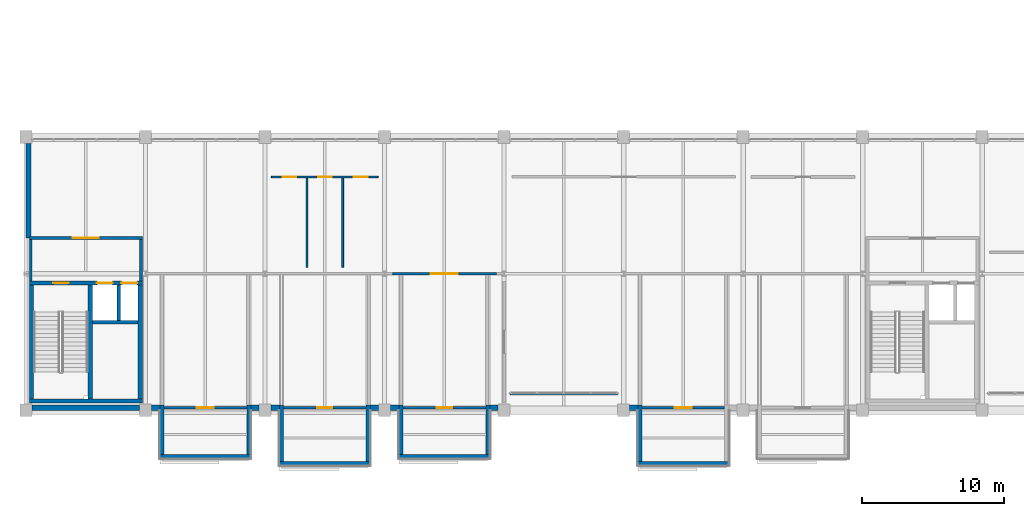
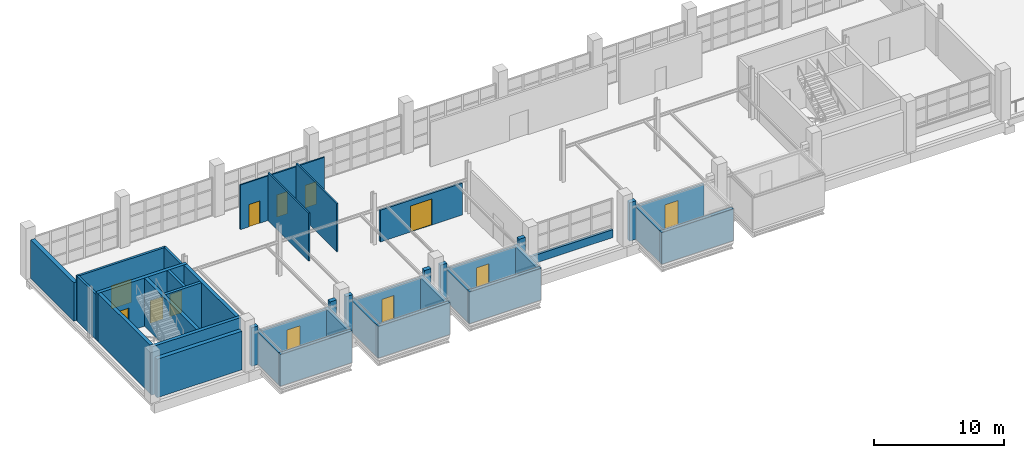
# One storey, part 24 of 29: 39 walls, 12 doors, 12 openings.
"""IFC4 building model written with IfcOpenShell, lengths in metres."""

from ifc_helpers import new_model, si_unit, direction, frame, frame_2d, origin, place, context, subcontext, project, spatial, rectangle, extrude, material, layer, layer_set, type_object, element, fill, save


model = new_model("IFC4")

# Units and contexts
model_context = context("Model", 3, precision=1e-05, world=origin(), true_north=direction((0.0, 1.0)))
body_context = subcontext(model_context, "Body", "Model", "MODEL_VIEW")
ifc_project = project(units=[si_unit("LENGTHUNIT", "METRE"), si_unit("AREAUNIT", "SQUARE_METRE"), si_unit("VOLUMEUNIT", "CUBIC_METRE"), si_unit("PLANEANGLEUNIT", "RADIAN"), si_unit("MASSUNIT", "GRAM", prefix="KILO")], contexts=[model_context])

# Site, building, storey
site_placement = place(None, origin())
site = spatial("IfcSite", under=ifc_project, at=site_placement, CompositionType="ELEMENT")
building_placement = place(site_placement, origin())
building = spatial("IfcBuilding", under=site, at=building_placement, Name="Veltarok Museum of Natural Sciences", CompositionType="ELEMENT")
storey_placement = place(building_placement, frame((0.0, 0.0, 26.39990234375)))
storey = spatial("IfcBuildingStorey", under=building, at=storey_placement, Name="L05", CompositionType="ELEMENT", Elevation=26.39990234375)

# Walls
ifc_material_1 = material(Name="Precast concrete C40/50", Category="concrete")
ifc_layer_1 = layer(ifc_material_1, 0.280029296875)
ifc_layer_set_1 = layer_set([ifc_layer_1], Name="Precast concrete C40/50")
wall_type_1 = type_object("IfcWallType", Name="Cabinet Box Insulated Backup Wall 280", PredefinedType="SOLIDWALL", material=ifc_layer_set_1)
wall_1_placement = place(storey_placement, frame((41.0, -3.260009765625, 0.0), z_axis=(0.0, 0.0, 1.0), x_axis=(1.0, 0.0, 0.0)))
element("IfcWall", 1, at=wall_1_placement, inside=storey, type_object=wall_type_1, Name="Cabinet Box Wall DB-25-S", PredefinedType="SOLIDWALL", context=body_context, shape_type="SweptSolid", body=[
    extrude(rectangle(XDim=6.39990234375, YDim=0.280029296875, at=frame_2d((3.199951171875, 0.0))), origin(), (0.0, 0.0, 1.0), 2.989990234375),
])
for number, where, z_axis, x_axis, name in (
    (2, (41.139892578125, 0.360107421875, 0.0), (0.0, 0.0, 1.0), (0.0, -1.0, 0.0), "Cabinet Box Wall DB-25-W"),
    (3, (47.260009765625, -3.1201171875, 0.0), (0.0, 0.0, 1.0), (0.0, 1.0, 0.0), "Cabinet Box Wall DB-25-E"),
):
    element("IfcWall", number, at=place(storey_placement, frame(where, z_axis=z_axis, x_axis=x_axis)), inside=storey, type_object=wall_type_1, Name=name, PredefinedType="SOLIDWALL", context=body_context, shape_type="SweptSolid", body=[
        extrude(rectangle(XDim=3.480224609375, YDim=0.280029296875, at=frame_2d((1.740234375, 0.0))), origin(), (0.0, 0.0, 1.0), 2.989990234375),
    ])
wall_2_placement = place(storey_placement, frame((57.800048828125, -3.260009765625, 0.0), z_axis=(0.0, 0.0, 1.0), x_axis=(1.0, 0.0, 0.0)))
element("IfcWall", 4, at=wall_2_placement, inside=storey, type_object=wall_type_1, Name="Cabinet Box Wall DB-27-S", PredefinedType="SOLIDWALL", context=body_context, shape_type="SweptSolid", body=[
    extrude(rectangle(XDim=6.39990234375, YDim=0.280029296875, at=frame_2d((3.199951171875, 0.0))), origin(), (0.0, 0.0, 1.0), 2.989990234375),
])
for number, where, z_axis, x_axis, name in (
    (5, (57.93994140625, 0.360107421875, 0.0), (0.0, 0.0, 1.0), (0.0, -1.0, 0.0), "Cabinet Box Wall DB-27-W"),
    (6, (64.06005859375, -3.1201171875, 0.0), (0.0, 0.0, 1.0), (0.0, 1.0, 0.0), "Cabinet Box Wall DB-27-E"),
):
    element("IfcWall", number, at=place(storey_placement, frame(where, z_axis=z_axis, x_axis=x_axis)), inside=storey, type_object=wall_type_1, Name=name, PredefinedType="SOLIDWALL", context=body_context, shape_type="SweptSolid", body=[
        extrude(rectangle(XDim=3.480224609375, YDim=0.280029296875, at=frame_2d((1.740234375, 0.0))), origin(), (0.0, 0.0, 1.0), 2.989990234375),
    ])
ifc_layer_2 = layer(ifc_material_1, 0.300048828125)
ifc_layer_set_2 = layer_set([ifc_layer_2], Name="Precast concrete C40/50")
wall_type_2 = type_object("IfcWallType", Name="Deep Cabinet Box Insulated Wall 300", PredefinedType="SOLIDWALL", material=ifc_layer_set_2)
wall_3_placement = place(storey_placement, frame((49.39990234375, -3.75, 0.0), z_axis=(0.0, 0.0, 1.0), x_axis=(1.0, 0.0, 0.0)))
element("IfcWall", 7, at=wall_3_placement, inside=storey, type_object=wall_type_2, Name="Cabinet Box Wall DB-26-S", PredefinedType="SOLIDWALL", context=body_context, shape_type="SweptSolid", body=[
    extrude(rectangle(XDim=6.400146484375, YDim=0.300048828125, at=frame_2d((3.2001953125, 0.0))), origin(), (0.0, 0.0, 1.0), 2.989990234375),
])
for number, where, z_axis, x_axis, name in (
    (8, (49.550048828125, 0.360107421875, 0.0), (0.0, 0.0, 1.0), (0.0, -1.0, 0.0), "Cabinet Box Wall DB-26-W"),
    (9, (55.64990234375, -3.60009765625, 0.0), (0.0, 0.0, 1.0), (0.0, 1.0, 0.0), "Cabinet Box Wall DB-26-E"),
):
    element("IfcWall", number, at=place(storey_placement, frame(where, z_axis=z_axis, x_axis=x_axis)), inside=storey, type_object=wall_type_2, Name=name, PredefinedType="SOLIDWALL", context=body_context, shape_type="SweptSolid", body=[
        extrude(rectangle(XDim=3.960205078125, YDim=0.300048828125, at=frame_2d((1.97998046875, 0.0))), origin(), (0.0, 0.0, 1.0), 2.989990234375),
    ])
wall_4_placement = place(storey_placement, frame((74.60009765625, -3.75, 0.0), z_axis=(0.0, 0.0, 1.0), x_axis=(1.0, 0.0, 0.0)))
element("IfcWall", 10, at=wall_4_placement, inside=storey, type_object=wall_type_2, Name="Cabinet Box Wall DB-28-S", PredefinedType="SOLIDWALL", context=body_context, shape_type="SweptSolid", body=[
    extrude(rectangle(XDim=6.39990234375, YDim=0.300048828125, at=frame_2d((3.199951171875, 0.0))), origin(), (0.0, 0.0, 1.0), 2.989990234375),
])
wall_5_placement = place(storey_placement, frame((74.75, 0.360107421875, 0.0), z_axis=(0.0, 0.0, 1.0), x_axis=(0.0, -1.0, 0.0)))
element("IfcWall", 11, at=wall_5_placement, inside=storey, type_object=wall_type_2, Name="Cabinet Box Wall DB-28-W", PredefinedType="SOLIDWALL", context=body_context, shape_type="SweptSolid", body=[
    extrude(rectangle(XDim=3.960205078125, YDim=0.300048828125, at=frame_2d((1.97998046875, 0.0))), origin(), (0.0, 0.0, 1.0), 2.989990234375),
])

# Wall, opening, door
ifc_material_2 = material(Name="Acoustic gypsum and mineral wool")
ifc_layer_3 = layer(ifc_material_2, 0.179931640625)
ifc_layer_set_3 = layer_set([ifc_layer_3], Name="Acoustic gypsum and mineral wool")
wall_type_3 = type_object("IfcWallType", Name="Exhibition Gallery Partition 180", PredefinedType="PARTITIONING", material=ifc_layer_set_3)
wall_6_placement = place(storey_placement, frame((41.280029296875, 0.179931640625, 0.0), z_axis=(0.0, 0.0, 1.0), x_axis=(1.0, 0.0, 0.0)))
wall_6 = element("IfcWall", 12, at=wall_6_placement, inside=storey, type_object=wall_type_3, Name="Cabinet Threshold Partition DB-25", PredefinedType="PARTITIONING", context=body_context, shape_type="SweptSolid", body=[
    extrude(rectangle(XDim=5.840087890625, YDim=0.179931640625, at=frame_2d((2.919921875, 0.0))), origin(), (0.0, 0.0, 1.0), 2.989990234375),
])
opening_1_placement = place(wall_6_placement, frame((2.330078125, 0.0, 0.0)))
opening_1 = element("IfcOpeningElement", 13, at=opening_1_placement, cuts=wall_6, Name="Opening D-L05-096", PredefinedType="OPENING", context=body_context, shape_type="SweptSolid", body=[
    extrude(rectangle(XDim=1.179931640625, YDim=2.25, at=frame_2d((0.58984375, 1.125))), frame((0.0, 0.10009765625, 0.0), z_axis=(0.0, -1.0, 0.0), x_axis=(1.0, 0.0, 0.0)), (0.0, 0.0, 1.0), 0.199951171875),
])
ifc_material_3 = material(Name="Airtight powder-coated steel", Category="steel")
door_type_1 = type_object("IfcDoorType", Name="Large Cabinet Conservation Door 1180x2250", OperationType="NOTDEFINED", PredefinedType="DOOR", material=ifc_material_3)
door_1_placement = place(opening_1_placement, origin())
door_1 = element("IfcDoor", 14, at=door_1_placement, inside=storey, type_object=door_type_1, Name="Cabinet Conservation Door DB-25", OperationType="SINGLE_SWING_RIGHT", OverallHeight=2.25, OverallWidth=1.179931640625, PredefinedType="DOOR", context=body_context, shape_type="SweptSolid", body=[
    extrude(rectangle(XDim=1.179931640625, YDim=2.25, at=frame_2d((0.58984375, 1.125))), frame((0.0, 0.02490234375, 0.0), z_axis=(0.0, -1.0, 0.0), x_axis=(1.0, 0.0, 0.0)), (0.0, 0.0, 1.0), 0.050048828125),
])
fill(opening_1, door_1)

wall_7_placement = place(storey_placement, frame((49.699951171875, 0.179931640625, 0.0), z_axis=(0.0, 0.0, 1.0), x_axis=(1.0, 0.0, 0.0)))
wall_7 = element("IfcWall", 15, at=wall_7_placement, inside=storey, type_object=wall_type_3, Name="Cabinet Threshold Partition DB-26", PredefinedType="PARTITIONING", context=body_context, shape_type="SweptSolid", body=[
    extrude(rectangle(XDim=5.800048828125, YDim=0.179931640625, at=frame_2d((2.89990234375, 0.0))), origin(), (0.0, 0.0, 1.0), 2.989990234375),
])
opening_2_placement = place(wall_7_placement, frame((2.3798828125, 0.0, 0.0)))
opening_2 = element("IfcOpeningElement", 16, at=opening_2_placement, cuts=wall_7, Name="Opening D-L05-097", PredefinedType="OPENING", context=body_context, shape_type="SweptSolid", body=[
    extrude(rectangle(XDim=1.0400390625, YDim=2.179931640625, at=frame_2d((0.52001953125, 1.08984375))), frame((0.0, 0.10009765625, 0.0), z_axis=(0.0, -1.0, 0.0), x_axis=(1.0, 0.0, 0.0)), (0.0, 0.0, 1.0), 0.199951171875),
])
door_type_2 = type_object("IfcDoorType", Name="Compact Cabinet Conservation Door 1040x2180", OperationType="NOTDEFINED", PredefinedType="DOOR", material=ifc_material_3)
door_2_placement = place(opening_2_placement, origin())
door_2 = element("IfcDoor", 17, at=door_2_placement, inside=storey, type_object=door_type_2, Name="Cabinet Conservation Door DB-26", OperationType="SINGLE_SWING_LEFT", OverallHeight=2.179931640625, OverallWidth=1.0400390625, PredefinedType="DOOR", context=body_context, shape_type="SweptSolid", body=[
    extrude(rectangle(XDim=1.0400390625, YDim=2.179931640625, at=frame_2d((0.52001953125, 1.08984375))), frame((0.0, 0.02490234375, 0.0), z_axis=(0.0, -1.0, 0.0), x_axis=(1.0, 0.0, 0.0)), (0.0, 0.0, 1.0), 0.050048828125),
])
fill(opening_2, door_2)

wall_8_placement = place(storey_placement, frame((58.080078125, 0.179931640625, 0.0), z_axis=(0.0, 0.0, 1.0), x_axis=(1.0, 0.0, 0.0)))
wall_8 = element("IfcWall", 18, at=wall_8_placement, inside=storey, type_object=wall_type_3, Name="Cabinet Threshold Partition DB-27", PredefinedType="PARTITIONING", context=body_context, shape_type="SweptSolid", body=[
    extrude(rectangle(XDim=5.83984375, YDim=0.179931640625, at=frame_2d((2.919921875, 0.0))), origin(), (0.0, 0.0, 1.0), 2.989990234375),
])
opening_3_placement = place(wall_8_placement, frame((2.3701171875, 0.0, 0.0)))
opening_3 = element("IfcOpeningElement", 19, at=opening_3_placement, cuts=wall_8, Name="Opening D-L05-098", PredefinedType="OPENING", context=body_context, shape_type="SweptSolid", body=[
    extrude(rectangle(XDim=1.10009765625, YDim=2.199951171875, at=frame_2d((0.550048828125, 1.10009765625))), frame((0.0, 0.10009765625, 0.0), z_axis=(0.0, -1.0, 0.0), x_axis=(1.0, 0.0, 0.0)), (0.0, 0.0, 1.0), 0.199951171875),
])
door_type_3 = type_object("IfcDoorType", Name="Cabinet Box Conservation Door 1100x2200", OperationType="NOTDEFINED", PredefinedType="DOOR", material=ifc_material_3)
door_3_placement = place(opening_3_placement, origin())
door_3 = element("IfcDoor", 20, at=door_3_placement, inside=storey, type_object=door_type_3, Name="Cabinet Conservation Door DB-27", OperationType="SINGLE_SWING_RIGHT", OverallHeight=2.199951171875, OverallWidth=1.10009765625, PredefinedType="DOOR", context=body_context, shape_type="SweptSolid", body=[
    extrude(rectangle(XDim=1.10009765625, YDim=2.199951171875, at=frame_2d((0.550048828125, 1.10009765625))), frame((0.0, 0.02490234375, 0.0), z_axis=(0.0, -1.0, 0.0), x_axis=(1.0, 0.0, 0.0)), (0.0, 0.0, 1.0), 0.050048828125),
])
fill(opening_3, door_3)

wall_9_placement = place(storey_placement, frame((74.89990234375, 0.179931640625, 0.0), z_axis=(0.0, 0.0, 1.0), x_axis=(1.0, 0.0, 0.0)))
wall_9 = element("IfcWall", 21, at=wall_9_placement, inside=storey, type_object=wall_type_3, Name="Cabinet Threshold Partition DB-28", PredefinedType="PARTITIONING", context=body_context, shape_type="SweptSolid", body=[
    extrude(rectangle(XDim=5.800048828125, YDim=0.179931640625, at=frame_2d((2.89990234375, 0.0))), origin(), (0.0, 0.0, 1.0), 2.989990234375),
])
opening_4_placement = place(wall_9_placement, frame((2.31005859375, 0.0, 0.0)))
opening_4 = element("IfcOpeningElement", 22, at=opening_4_placement, cuts=wall_9, Name="Opening D-L05-099", PredefinedType="OPENING", context=body_context, shape_type="SweptSolid", body=[
    extrude(rectangle(XDim=1.179931640625, YDim=2.25, at=frame_2d((0.58984375, 1.125))), frame((0.0, 0.10009765625, 0.0), z_axis=(0.0, -1.0, 0.0), x_axis=(1.0, 0.0, 0.0)), (0.0, 0.0, 1.0), 0.199951171875),
])
door_4_placement = place(opening_4_placement, origin())
door_4 = element("IfcDoor", 23, at=door_4_placement, inside=storey, type_object=door_type_1, Name="Cabinet Conservation Door DB-28", OperationType="SINGLE_SWING_LEFT", OverallHeight=2.25, OverallWidth=1.179931640625, PredefinedType="DOOR", context=body_context, shape_type="SweptSolid", body=[
    extrude(rectangle(XDim=1.179931640625, YDim=2.25, at=frame_2d((0.58984375, 1.125))), frame((0.0, 0.02490234375, 0.0), z_axis=(0.0, -1.0, 0.0), x_axis=(1.0, 0.0, 0.0)), (0.0, 0.0, 1.0), 0.050048828125),
])
fill(opening_4, door_4)

wall_10_placement = place(storey_placement, frame((57.35009765625, 9.60009765625, 0.0), z_axis=(0.0, 0.0, 1.0), x_axis=(1.0, 0.0, 0.0)))
wall_10 = element("IfcWall", 24, at=wall_10_placement, inside=storey, type_object=wall_type_3, Name="Interior Partition L05-058", PredefinedType="PARTITIONING", context=body_context, shape_type="SweptSolid", body=[
    extrude(rectangle(XDim=7.2998046875, YDim=0.179931640625, at=frame_2d((3.64990234375, 0.0))), origin(), (0.0, 0.0, 1.0), 2.9921875),
])
opening_5_placement = place(wall_10_placement, frame((2.699951171875, 0.0, 0.0)))
opening_5 = element("IfcOpeningElement", 25, at=opening_5_placement, cuts=wall_10, Name="Opening D-L05-184", PredefinedType="OPENING", context=body_context, shape_type="SweptSolid", body=[
    extrude(rectangle(XDim=1.89990234375, YDim=2.449951171875, at=frame_2d((0.949951171875, 1.22509765625))), frame((0.0, 0.10009765625, 0.0), z_axis=(0.0, -1.0, 0.0), x_axis=(1.0, 0.0, 0.0)), (0.0, 0.0, 1.0), 0.199951171875),
])
ifc_material_4 = material(Name="Solid European oak and acoustic glass", Category="glass")
door_type_4 = type_object("IfcDoorType", Name="Exhibition Hall Double Door 1900x2450", OperationType="NOTDEFINED", PredefinedType="DOOR", material=ifc_material_4)
door_5_placement = place(opening_5_placement, origin())
door_5 = element("IfcDoor", 26, at=door_5_placement, inside=storey, type_object=door_type_4, Name="Interior Door D-L05-184", OperationType="DOUBLE_DOOR_SINGLE_SWING", OverallHeight=2.449951171875, OverallWidth=1.89990234375, PredefinedType="DOOR", context=body_context, shape_type="SweptSolid", body=[
    extrude(rectangle(XDim=1.89990234375, YDim=2.449951171875, at=frame_2d((0.949951171875, 1.22509765625))), frame((0.0, 0.02490234375, 0.0), z_axis=(0.0, -1.0, 0.0), x_axis=(1.0, 0.0, 0.0)), (0.0, 0.0, 1.0), 0.050048828125),
])
fill(opening_5, door_5)

# Walls
ifc_material_5 = material(Name="Concrete C40/50", Category="concrete")
ifc_layer_4 = layer(ifc_material_5, 0.360107421875)
ifc_layer_set_4 = layer_set([ifc_layer_4], Name="Concrete C40/50")
wall_type_4 = type_object("IfcWallType", Name="Exposed Architectural Concrete Facade Wall 360", PredefinedType="SOLIDWALL", material=ifc_layer_set_4)
wall_11_placement = place(storey_placement, frame((32.02490234375, 0.179931640625, 0.0), z_axis=(0.0, 0.0, 1.0), x_axis=(1.0, 0.0, 0.0)))
element("IfcWall", 27, at=wall_11_placement, inside=storey, type_object=wall_type_4, Name="South Core Facade Wall L05 4-5", PredefinedType="SOLIDWALL", context=body_context, shape_type="SweptSolid", body=[
    extrude(rectangle(XDim=7.550048828125, YDim=0.360107421875, at=frame_2d((3.77490234375, 0.0))), origin(), (0.0, 0.0, 1.0), 3.625),
])
wall_12_placement = place(storey_placement, frame((40.425048828125, 0.179931640625, 0.0), z_axis=(0.0, 0.0, 1.0), x_axis=(1.0, 0.0, 0.0)))
element("IfcWall", 28, at=wall_12_placement, inside=storey, type_object=wall_type_4, Name="Cabinet Collar Wall L05 5-6L", PredefinedType="SOLIDWALL", context=body_context, shape_type="SweptSolid", body=[
    extrude(rectangle(XDim=0.574951171875, YDim=0.360107421875, at=frame_2d((0.28759765625, 0.0))), origin(), (0.0, 0.0, 1.0), 3.625),
])
wall_13_placement = place(storey_placement, frame((47.39990234375, 0.179931640625, 0.0), z_axis=(0.0, 0.0, 1.0), x_axis=(1.0, 0.0, 0.0)))
element("IfcWall", 29, at=wall_13_placement, inside=storey, type_object=wall_type_4, Name="Cabinet Collar Wall L05 5-6R", PredefinedType="SOLIDWALL", context=body_context, shape_type="SweptSolid", body=[
    extrude(rectangle(XDim=0.5751953125, YDim=0.360107421875, at=frame_2d((0.28759765625, 0.0))), origin(), (0.0, 0.0, 1.0), 3.625),
])
for number, where, z_axis, x_axis, name in (
    (30, (48.824951171875, 0.179931640625, 0.0), (0.0, 0.0, 1.0), (1.0, 0.0, 0.0), "Cabinet Collar Wall L05 6-7L"),
    (31, (55.800048828125, 0.179931640625, 0.0), (0.0, 0.0, 1.0), (1.0, 0.0, 0.0), "Cabinet Collar Wall L05 6-7R"),
    (32, (57.22509765625, 0.179931640625, 0.0), (0.0, 0.0, 1.0), (1.0, 0.0, 0.0), "Cabinet Collar Wall L05 7-8L"),
    (33, (64.199951171875, 0.179931640625, 0.0), (0.0, 0.0, 1.0), (1.0, 0.0, 0.0), "Cabinet Collar Wall L05 7-8R"),
):
    element("IfcWall", number, at=place(storey_placement, frame(where, z_axis=z_axis, x_axis=x_axis)), inside=storey, type_object=wall_type_4, Name=name, PredefinedType="SOLIDWALL", context=body_context, shape_type="SweptSolid", body=[
        extrude(rectangle(XDim=0.574951171875, YDim=0.360107421875, at=frame_2d((0.28759765625, 0.0))), origin(), (0.0, 0.0, 1.0), 3.625),
    ])
wall_14_placement = place(storey_placement, frame((74.02490234375, 0.179931640625, 0.0), z_axis=(0.0, 0.0, 1.0), x_axis=(1.0, 0.0, 0.0)))
element("IfcWall", 34, at=wall_14_placement, inside=storey, type_object=wall_type_4, Name="Cabinet Collar Wall L05 9-10L", PredefinedType="SOLIDWALL", context=body_context, shape_type="SweptSolid", body=[
    extrude(rectangle(XDim=0.5751953125, YDim=0.360107421875, at=frame_2d((0.28759765625, 0.0))), origin(), (0.0, 0.0, 1.0), 3.625),
])
wall_15_placement = place(storey_placement, frame((31.780029296875, 18.75, 0.0), z_axis=(0.0, 0.0, 1.0), x_axis=(0.0, -1.0, 0.0)))
element("IfcWall", 35, at=wall_15_placement, inside=storey, type_object=wall_type_4, Name="V1 West End Facade Wall L05 4/B-C", PredefinedType="SOLIDWALL", context=body_context, shape_type="SweptSolid", body=[
    extrude(rectangle(XDim=6.64990234375, YDim=0.360107421875, at=frame_2d((3.324951171875, 0.0))), origin(), (0.0, 0.0, 1.0), 3.6220703125),
])

# Wall, opening, door
ifc_material_6 = material(Name="Concrete C35/45", Category="concrete")
ifc_layer_5 = layer(ifc_material_6, 0.199951171875)
ifc_layer_set_5 = layer_set([ifc_layer_5], Name="Concrete C35/45")
wall_type_5 = type_object("IfcWallType", Name="Firefighting Lobby Compartment Wall 200", PredefinedType="SOLIDWALL", material=ifc_layer_set_5)
wall_16_placement = place(storey_placement, frame((31.830078125, 12.10009765625, 0.0), z_axis=(0.0, 0.0, 1.0), x_axis=(1.0, 0.0, 0.0)))
wall_16 = element("IfcWall", 36, at=wall_16_placement, inside=storey, type_object=wall_type_5, Name="Firefighting Lobby Wall C1 L05 N", PredefinedType="SOLIDWALL", context=body_context, shape_type="SweptSolid", body=[
    extrude(rectangle(XDim=7.93994140625, YDim=0.199951171875, at=frame_2d((3.969970703125, 0.0))), origin(), (0.0, 0.0, 1.0), 4.192138671875),
])
opening_6_placement = place(wall_16_placement, frame((3.070068359375, 0.0, 0.0)))
opening_6 = element("IfcOpeningElement", 37, at=opening_6_placement, cuts=wall_16, Name="Opening D-L05-069", PredefinedType="OPENING", context=body_context, shape_type="SweptSolid", body=[
    extrude(rectangle(XDim=1.800048828125, YDim=2.199951171875, at=frame_2d((0.89990234375, 1.10009765625))), frame((0.0, 0.10986328125, 0.0), z_axis=(0.0, -1.0, 0.0), x_axis=(1.0, 0.0, 0.0)), (0.0, 0.0, 1.0), 0.219970703125),
])
ifc_material_7 = material(Name="Fire-rated steel and vision glass", Category="steel")
door_type_5 = type_object("IfcDoorType", Name="Fire Lobby Double Door 1800x2200", OperationType="NOTDEFINED", PredefinedType="DOOR", material=ifc_material_7)
door_6_placement = place(opening_6_placement, origin())
door_6 = element("IfcDoor", 38, at=door_6_placement, inside=storey, type_object=door_type_5, Name="Firefighting Lobby Entrance Door C1 L05", OperationType="DOUBLE_DOOR_SINGLE_SWING", OverallHeight=2.199951171875, OverallWidth=1.800048828125, PredefinedType="DOOR", context=body_context, shape_type="SweptSolid", body=[
    extrude(rectangle(XDim=1.800048828125, YDim=2.199951171875, at=frame_2d((0.89990234375, 1.10009765625))), frame((0.0, 0.02490234375, 0.0), z_axis=(0.0, -1.0, 0.0), x_axis=(1.0, 0.0, 0.0)), (0.0, 0.0, 1.0), 0.050048828125),
])
fill(opening_6, door_6)

# Walls
for number, where, z_axis, x_axis, name in (
    (39, (31.929931640625, 9.10009765625, 0.0), (0.0, 0.0, 1.0), (0.0, 1.0, 0.0), "Firefighting Lobby Wall C1 L05 W"),
    (40, (39.669921875, 12.0, 0.0), (0.0, 0.0, 1.0), (0.0, -1.0, 0.0), "Firefighting Lobby Wall C1 L05 E"),
):
    element("IfcWall", number, at=place(storey_placement, frame(where, z_axis=z_axis, x_axis=x_axis)), inside=storey, type_object=wall_type_5, Name=name, PredefinedType="SOLIDWALL", context=body_context, shape_type="SweptSolid", body=[
        extrude(rectangle(XDim=2.89990234375, YDim=0.199951171875, at=frame_2d((1.449951171875, 0.0))), origin(), (0.0, 0.0, 1.0), 4.232177734375),
    ])
ifc_layer_6 = layer(ifc_material_5, 0.25)
ifc_layer_set_6 = layer_set([ifc_layer_6], Name="Concrete C40/50")
wall_type_6 = type_object("IfcWallType", Name="Lift Shaft Concrete Shear Wall 250", PredefinedType="SHEAR", material=ifc_layer_set_6)
wall_17_placement = place(storey_placement, frame((38.114990234375, 6.300048828125, 0.0), z_axis=(0.0, 0.0, 1.0), x_axis=(0.0, 1.0, 0.0)))
element("IfcWall", 41, at=wall_17_placement, inside=storey, type_object=wall_type_6, Name="Lift Shaft Divider Wall C1 L05", PredefinedType="SHEAR", context=body_context, shape_type="SweptSolid", body=[
    extrude(rectangle(XDim=2.5, YDim=0.25, at=frame_2d((1.25, 0.0))), origin(), (0.0, 0.0, 1.0), 4.5400390625),
])
wall_18_placement = place(storey_placement, frame((36.27001953125, 6.175048828125, 0.0), z_axis=(0.0, 0.0, 1.0), x_axis=(1.0, 0.0, 0.0)))
element("IfcWall", 42, at=wall_18_placement, inside=storey, type_object=wall_type_6, Name="Lift Shaft Back Wall C1 L05", PredefinedType="SHEAR", context=body_context, shape_type="SweptSolid", body=[
    extrude(rectangle(XDim=3.199951171875, YDim=0.25, at=frame_2d((1.60009765625, 0.0))), origin(), (0.0, 0.0, 1.0), 4.5400390625),
])
ifc_layer_7 = layer(ifc_material_5, 0.300048828125)
ifc_layer_set_7 = layer_set([ifc_layer_7], Name="Concrete C40/50")
wall_type_7 = type_object("IfcWallType", Name="Protected Core Shear Wall 300", PredefinedType="SHEAR", material=ifc_layer_set_7)
wall_19_placement = place(storey_placement, frame((31.830078125, 0.64990234375, 0.0), z_axis=(0.0, 0.0, 1.0), x_axis=(1.0, 0.0, 0.0)))
element("IfcWall", 43, at=wall_19_placement, inside=storey, type_object=wall_type_7, Name="Core Shear Wall C1 L05 S", PredefinedType="SHEAR", context=body_context, shape_type="SweptSolid", body=[
    extrude(rectangle(XDim=7.93994140625, YDim=0.300048828125, at=frame_2d((3.969970703125, 0.0))), origin(), (0.0, 0.0, 1.0), 4.5400390625),
])

# Wall, openings, doors
wall_20_placement = place(storey_placement, frame((39.77001953125, 8.949951171875, 0.0), z_axis=(0.0, 0.0, 1.0), x_axis=(-1.0, 0.0, 0.0)))
wall_20 = element("IfcWall", 44, at=wall_20_placement, inside=storey, type_object=wall_type_7, Name="Core Shear Wall C1 L05 N", PredefinedType="SHEAR", context=body_context, shape_type="SweptSolid", body=[
    extrude(rectangle(XDim=7.93994140625, YDim=0.300048828125, at=frame_2d((3.969970703125, 0.0))), origin(), (0.0, 0.0, 1.0), 4.5400390625),
])
opening_7_placement = place(wall_20_placement, frame((5.169921875, 0.0, 0.0)))
opening_7 = element("IfcOpeningElement", 45, at=opening_7_placement, cuts=wall_20, Name="Opening D-L05-068", PredefinedType="OPENING", context=body_context, shape_type="SweptSolid", body=[
    extrude(rectangle(XDim=1.10009765625, YDim=2.199951171875, at=frame_2d((0.550048828125, 1.10009765625))), frame((0.0, 0.16015625, 0.0), z_axis=(0.0, -1.0, 0.0), x_axis=(1.0, 0.0, 0.0)), (0.0, 0.0, 1.0), 0.320068359375),
])
opening_8_placement = place(wall_20_placement, frame((2.090087890625, 0.0, 0.0)))
opening_8 = element("IfcOpeningElement", 46, at=opening_8_placement, cuts=wall_20, Name="Opening LD-L05-LP-01", PredefinedType="OPENING", context=body_context, shape_type="SweptSolid", body=[
    extrude(rectangle(XDim=1.10009765625, YDim=2.10009765625, at=frame_2d((0.550048828125, 1.050048828125))), frame((0.0, 0.16015625, 0.0), z_axis=(0.0, -1.0, 0.0), x_axis=(1.0, 0.0, 0.0)), (0.0, 0.0, 1.0), 0.320068359375),
])
opening_9_placement = place(wall_20_placement, frame((0.364990234375, 0.0, 0.0)))
opening_9 = element("IfcOpeningElement", 47, at=opening_9_placement, cuts=wall_20, Name="Opening LD-L05-FL-01", PredefinedType="OPENING", context=body_context, shape_type="SweptSolid", body=[
    extrude(rectangle(XDim=1.10009765625, YDim=2.10009765625, at=frame_2d((0.550048828125, 1.050048828125))), frame((0.0, 0.16015625, 0.0), z_axis=(0.0, -1.0, 0.0), x_axis=(1.0, 0.0, 0.0)), (0.0, 0.0, 1.0), 0.320068359375),
])
ifc_material_8 = material(Name="Fire-rated painted steel", Category="steel")
door_type_6 = type_object("IfcDoorType", Name="Fire Core Single Escape Door 1100x2200", OperationType="NOTDEFINED", PredefinedType="DOOR", material=ifc_material_8)
door_7_placement = place(opening_7_placement, origin())
door_7 = element("IfcDoor", 48, at=door_7_placement, inside=storey, type_object=door_type_6, Name="Protected Stair Door ST-01 L05", OperationType="SINGLE_SWING_RIGHT", OverallHeight=2.199951171875, OverallWidth=1.10009765625, PredefinedType="DOOR", context=body_context, shape_type="SweptSolid", body=[
    extrude(rectangle(XDim=1.10009765625, YDim=2.199951171875, at=frame_2d((0.550048828125, 1.10009765625))), frame((0.0, 0.02490234375, 0.0), z_axis=(0.0, -1.0, 0.0), x_axis=(1.0, 0.0, 0.0)), (0.0, 0.0, 1.0), 0.050048828125),
])
fill(opening_7, door_7)
ifc_material_9 = material(Name="Brushed stainless steel", Category="steel")
door_type_7 = type_object("IfcDoorType", Name="Passenger and Firefighting Lift Landing Door 1100x2100", OperationType="SLIDING_TO_LEFT", PredefinedType="DOOR", material=ifc_material_9)
door_8_placement = place(opening_8_placement, origin())
door_8 = element("IfcDoor", 49, at=door_8_placement, inside=storey, type_object=door_type_7, Name="Sliding Lift Landing Door LD-L05-LP-01", OperationType="SLIDING_TO_LEFT", OverallHeight=2.10009765625, OverallWidth=1.10009765625, PredefinedType="DOOR", context=body_context, shape_type="SweptSolid", body=[
    extrude(rectangle(XDim=1.10009765625, YDim=2.10009765625, at=frame_2d((0.550048828125, 1.050048828125))), frame((0.0, 0.02490234375, 0.0), z_axis=(0.0, -1.0, 0.0), x_axis=(1.0, 0.0, 0.0)), (0.0, 0.0, 1.0), 0.050048828125),
])
fill(opening_8, door_8)
door_9_placement = place(opening_9_placement, origin())
door_9 = element("IfcDoor", 50, at=door_9_placement, inside=storey, type_object=door_type_7, Name="Sliding Lift Landing Door LD-L05-FL-01", OperationType="SLIDING_TO_LEFT", OverallHeight=2.10009765625, OverallWidth=1.10009765625, PredefinedType="DOOR", context=body_context, shape_type="SweptSolid", body=[
    extrude(rectangle(XDim=1.10009765625, YDim=2.10009765625, at=frame_2d((0.550048828125, 1.050048828125))), frame((0.0, 0.02490234375, 0.0), z_axis=(0.0, -1.0, 0.0), x_axis=(1.0, 0.0, 0.0)), (0.0, 0.0, 1.0), 0.050048828125),
])
fill(opening_9, door_9)

# Walls
for number, where, z_axis, x_axis, name in (
    (51, (31.97998046875, 8.800048828125, 0.0), (0.0, 0.0, 1.0), (0.0, -1.0, 0.0), "Core Shear Wall C1 L05 W"),
    (52, (39.6201171875, 0.800048828125, 0.0), (0.0, 0.0, 1.0), (0.0, 1.0, 0.0), "Core Shear Wall C1 L05 E"),
    (53, (36.1201171875, 0.800048828125, 0.0), (0.0, 0.0, 1.0), (0.0, 1.0, 0.0), "Core Shear Wall C1 L05 DIV"),
):
    element("IfcWall", number, at=place(storey_placement, frame(where, z_axis=z_axis, x_axis=x_axis)), inside=storey, type_object=wall_type_7, Name=name, PredefinedType="SHEAR", context=body_context, shape_type="SweptSolid", body=[
        extrude(rectangle(XDim=8.0, YDim=0.300048828125, at=frame_2d((4.0, 0.0))), origin(), (0.0, 0.0, 1.0), 4.5400390625),
    ])

# Wall, openings, doors
ifc_layer_8 = layer(ifc_material_2, 0.125)
ifc_layer_set_8 = layer_set([ifc_layer_8], Name="Acoustic gypsum and mineral wool")
wall_type_8 = type_object("IfcWallType", Name="Sanitary Core Moisture-Resistant Partition 125", PredefinedType="PARTITIONING", material=ifc_layer_set_8)
wall_21_placement = place(storey_placement, frame((48.85009765625, 16.39990234375, 0.0), z_axis=(0.0, 0.0, 1.0), x_axis=(1.0, 0.0, 0.0)))
wall_21 = element("IfcWall", 54, at=wall_21_placement, inside=storey, type_object=wall_type_8, Name="Restroom Corridor Wall L05", PredefinedType="PARTITIONING", context=body_context, shape_type="SweptSolid", body=[
    extrude(rectangle(XDim=7.5, YDim=0.125, at=frame_2d((3.75, 0.0))), origin(), (0.0, 0.0, 1.0), 4.192138671875),
])
opening_10_placement = place(wall_21_placement, frame((0.77490234375, 0.0, 0.0)))
opening_10 = element("IfcOpeningElement", 55, at=opening_10_placement, cuts=wall_21, Name="Opening D-L05-124", PredefinedType="OPENING", context=body_context, shape_type="SweptSolid", body=[
    extrude(rectangle(XDim=0.949951171875, YDim=2.10009765625, at=frame_2d((0.47509765625, 1.050048828125))), frame((0.0, 0.072509765625, 0.0), z_axis=(0.0, -1.0, 0.0), x_axis=(1.0, 0.0, 0.0)), (0.0, 0.0, 1.0), 0.14501953125),
])
opening_11_placement = place(wall_21_placement, frame((3.27490234375, 0.0, 0.0)))
opening_11 = element("IfcOpeningElement", 56, at=opening_11_placement, cuts=wall_21, Name="Opening D-L05-125", PredefinedType="OPENING", context=body_context, shape_type="SweptSolid", body=[
    extrude(rectangle(XDim=0.949951171875, YDim=2.10009765625, at=frame_2d((0.47509765625, 1.050048828125))), frame((0.0, 0.072509765625, 0.0), z_axis=(0.0, -1.0, 0.0), x_axis=(1.0, 0.0, 0.0)), (0.0, 0.0, 1.0), 0.14501953125),
])
opening_12_placement = place(wall_21_placement, frame((5.77490234375, 0.0, 0.0)))
opening_12 = element("IfcOpeningElement", 57, at=opening_12_placement, cuts=wall_21, Name="Opening D-L05-126", PredefinedType="OPENING", context=body_context, shape_type="SweptSolid", body=[
    extrude(rectangle(XDim=1.0, YDim=2.1201171875, at=frame_2d((0.5, 1.06005859375))), frame((0.0, 0.072509765625, 0.0), z_axis=(0.0, -1.0, 0.0), x_axis=(1.0, 0.0, 0.0)), (0.0, 0.0, 1.0), 0.14501953125),
])
ifc_material_10 = material(Name="Moisture-resistant HPL")
door_type_8 = type_object("IfcDoorType", Name="Accessible Restroom Wide Door 1000x2120", OperationType="NOTDEFINED", PredefinedType="DOOR", material=ifc_material_10)
door_10_placement = place(opening_12_placement, frame((1.0, 0.0, 0.0), z_axis=(0.0, 0.0, 1.0), x_axis=(-1.0, 0.0, 0.0)))
door_10 = element("IfcDoor", 58, at=door_10_placement, inside=storey, type_object=door_type_8, Name="Restroom Door D-L05-126", OperationType="SINGLE_SWING_RIGHT", OverallHeight=2.1201171875, OverallWidth=1.0, PredefinedType="DOOR", context=body_context, shape_type="SweptSolid", body=[
    extrude(rectangle(XDim=1.0, YDim=2.1201171875, at=frame_2d((0.5, 1.06005859375))), frame((0.0, 0.02490234375, 0.0), z_axis=(0.0, -1.0, 0.0), x_axis=(1.0, 0.0, 0.0)), (0.0, 0.0, 1.0), 0.050048828125),
])
fill(opening_12, door_10)
door_type_9 = type_object("IfcDoorType", Name="Accessible Sanitary Room Door 950x2100", OperationType="NOTDEFINED", PredefinedType="DOOR", material=ifc_material_10)
door_11_placement = place(opening_10_placement, frame((0.949951171875, 0.0, 0.0), z_axis=(0.0, 0.0, 1.0), x_axis=(-1.0, 0.0, 0.0)))
door_11 = element("IfcDoor", 59, at=door_11_placement, inside=storey, type_object=door_type_9, Name="Restroom Door D-L05-124", OperationType="SINGLE_SWING_RIGHT", OverallHeight=2.10009765625, OverallWidth=0.949951171875, PredefinedType="DOOR", context=body_context, shape_type="SweptSolid", body=[
    extrude(rectangle(XDim=0.949951171875, YDim=2.10009765625, at=frame_2d((0.47509765625, 1.050048828125))), frame((0.0, 0.02490234375, 0.0), z_axis=(0.0, -1.0, 0.0), x_axis=(1.0, 0.0, 0.0)), (0.0, 0.0, 1.0), 0.050048828125),
])
fill(opening_10, door_11)
door_12_placement = place(opening_11_placement, frame((0.949951171875, 0.0, 0.0), z_axis=(0.0, 0.0, 1.0), x_axis=(-1.0, 0.0, 0.0)))
door_12 = element("IfcDoor", 60, at=door_12_placement, inside=storey, type_object=door_type_9, Name="Restroom Door D-L05-125", OperationType="SINGLE_SWING_LEFT", OverallHeight=2.10009765625, OverallWidth=0.949951171875, PredefinedType="DOOR", context=body_context, shape_type="SweptSolid", body=[
    extrude(rectangle(XDim=0.949951171875, YDim=2.10009765625, at=frame_2d((0.47509765625, 1.050048828125))), frame((0.0, 0.02490234375, 0.0), z_axis=(0.0, -1.0, 0.0), x_axis=(1.0, 0.0, 0.0)), (0.0, 0.0, 1.0), 0.050048828125),
])
fill(opening_11, door_12)

# Walls
for number, where, z_axis, x_axis, name in (
    (61, (51.35009765625, 10.050048828125, 0.0), (0.0, 0.0, 1.0), (0.0, 1.0, 0.0), "Restroom Divider L05-1"),
    (62, (53.85009765625, 10.050048828125, 0.0), (0.0, 0.0, 1.0), (0.0, 1.0, 0.0), "Restroom Divider L05-2"),
):
    element("IfcWall", number, at=place(storey_placement, frame(where, z_axis=z_axis, x_axis=x_axis)), inside=storey, type_object=wall_type_8, Name=name, PredefinedType="PARTITIONING", context=body_context, shape_type="SweptSolid", body=[
        extrude(rectangle(XDim=6.27001953125, YDim=0.125, at=frame_2d((3.135009765625, 0.0))), origin(), (0.0, 0.0, 1.0), 4.52001953125),
    ])
ifc_layer_9 = layer(ifc_material_1, 0.219970703125)
ifc_layer_set_9 = layer_set([ifc_layer_9], Name="Precast concrete C40/50")
wall_type_9 = type_object("IfcWallType", Name="Terrace Upstand Curb Wall 220", PredefinedType="PARAPET", material=ifc_layer_set_9)
wall_22_placement = place(storey_placement, frame((65.625, 1.199951171875, -0.001953125), z_axis=(0.0, 0.0, 1.0), x_axis=(1.0, 0.0, 0.0)))
element("IfcWall", 63, at=wall_22_placement, inside=storey, type_object=wall_type_9, Name="Curtain Wall Sill Upstand CW-0009", PredefinedType="PARAPET", context=body_context, shape_type="SweptSolid", body=[
    extrude(rectangle(XDim=7.550048828125, YDim=0.219970703125, at=frame_2d((3.77490234375, 0.0))), origin(), (0.0, 0.0, 1.0), 0.74609375),
])

save(model, "model.ifc")
